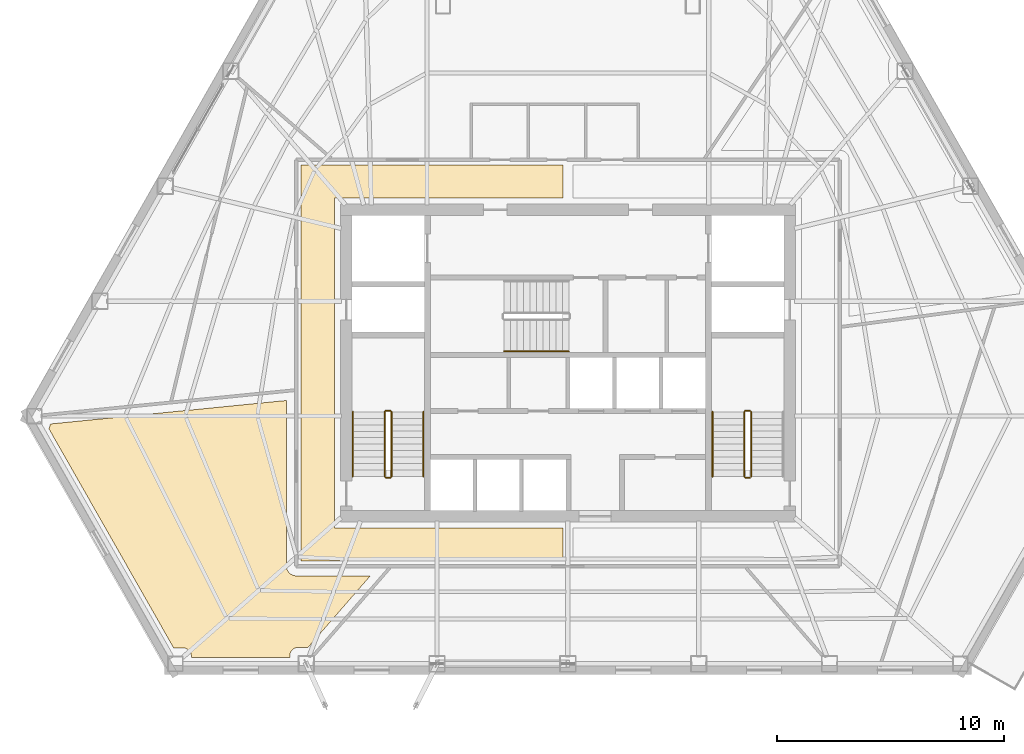
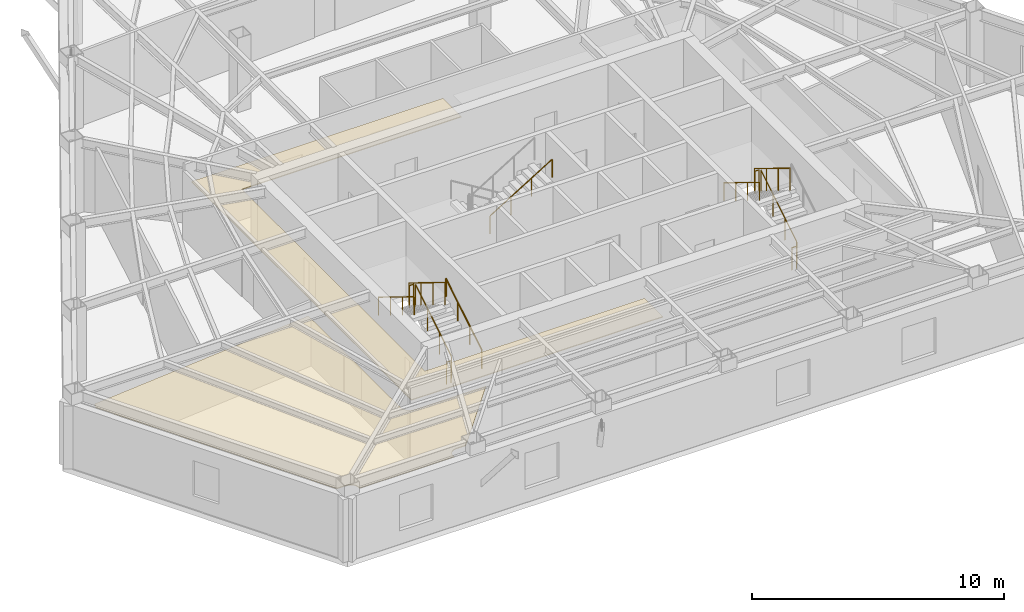
# One storey, part 10 of 12: 12 railings, 2 coverings.
"""IFC4 building model written with IfcOpenShell, lengths in metres."""

from ifc_helpers import new_model, si_unit, direction, frame, origin, origin_2d, place, context, subcontext, project, spatial, polyline, circle, outline, extrude, material, layer, layer_set, type_object, element, save


model = new_model("IFC4")

# Units and contexts
model_context = context("Model", 3, precision=1e-05, world=origin(), true_north=direction((0.0, 1.0)))
body_context = subcontext(model_context, "Body", "Model", "MODEL_VIEW")
ifc_project = project(units=[si_unit("LENGTHUNIT", "METRE"), si_unit("AREAUNIT", "SQUARE_METRE"), si_unit("VOLUMEUNIT", "CUBIC_METRE"), si_unit("PLANEANGLEUNIT", "RADIAN"), si_unit("MASSUNIT", "GRAM", prefix="KILO")], contexts=[model_context])

# Site, building, storey
site_placement = place(None, origin())
site = spatial("IfcSite", under=ifc_project, at=site_placement, CompositionType="ELEMENT")
building_placement = place(site_placement, origin())
building = spatial("IfcBuilding", under=site, at=building_placement, Name="Kavelnor Concourse Tower", CompositionType="ELEMENT")
storey_placement = place(building_placement, frame((0.0, 0.0, 93.199951171875)))
storey = spatial("IfcBuildingStorey", under=building, at=storey_placement, Name="L23", CompositionType="ELEMENT", Elevation=93.199951171875)

# Coverings
ifc_material_1 = material(Name="Mineral fibre acoustic ceiling tile")
ifc_layer = layer(ifc_material_1, 0.0400390625, Name="Mineral fibre acoustic ceiling tile")
ifc_layer_set = layer_set([ifc_layer], Name="Mineral fibre acoustic ceiling tile")
covering_type = type_object("IfcCoveringType", Name="COV-CEILING-ACOUSTIC", PredefinedType="CEILING", material=ifc_layer_set)
covering_1_placement = place(storey_placement, frame((0.0, 0.0, 2.75)))
element("IfcCovering", 1, at=covering_1_placement, inside=storey, type_object=covering_type, Name="L23 Suspended Acoustic Ceiling", PredefinedType="CEILING", context=body_context, shape_type="SweptSolid", body=[
    extrude(outline(polyline([(26.25, 7.3701171875), (26.25, 24.830078125), (37.77490234375, 24.830078125), (37.77490234375, 23.3701171875), (27.7099609375, 23.3701171875), (27.7099609375, 8.830078125), (37.77490234375, 8.830078125), (37.77490234375, 7.3701171875), (26.25, 7.3701171875)])), origin(), (0.0, 0.0, 1.0), 0.0400390625),
])
covering_2_placement = place(storey_placement, frame((0.0, 0.0, 2.75)))
element("IfcCovering", 2, at=covering_2_placement, inside=storey, type_object=covering_type, Name="L23 Suspended Acoustic Ceiling", PredefinedType="CEILING", context=body_context, shape_type="SweptSolid", body=[
    extrude(outline(polyline([(15.139892578125, 13.222900390625), (15.158203125, 13.253173828125), (15.17333984375, 13.28515625), (15.185302734375, 13.318603515625), (15.19384765625, 13.352783203125), (15.198974609375, 13.3876953125), (15.2001953125, 13.414794921875), (15.2001953125, 13.415771484375), (25.607421875, 14.45068359375), (25.607421875, 7.1416015625), (25.609130859375, 7.1083984375), (25.615234375, 7.0673828125), (25.625244140625, 7.027099609375), (25.639404296875, 6.98828125), (25.656982421875, 6.95068359375), (25.678466796875, 6.9150390625), (25.703125, 6.881591796875), (25.73095703125, 6.85107421875), (25.76171875, 6.822998046875), (25.794921875, 6.79833984375), (25.83056640625, 6.777099609375), (25.8681640625, 6.75927734375), (25.9072265625, 6.745361328125), (25.947509765625, 6.735107421875), (25.988525390625, 6.72900390625), (26.021728515625, 6.7275390625), (29.29736328125, 6.7275390625), (26.55078125, 3.569580078125), (26.106201171875, 3.569580078125), (26.0791015625, 3.568359375), (26.044189453125, 3.563232421875), (26.009765625, 3.5546875), (25.9765625, 3.542724609375), (25.944580078125, 3.527587890625), (25.914306640625, 3.509521484375), (25.8857421875, 3.48828125), (25.859619140625, 3.464599609375), (25.835693359375, 3.438232421875), (25.814697265625, 3.409912109375), (25.79638671875, 3.379638671875), (25.781494140625, 3.34765625), (25.76953125, 3.314208984375), (25.760986328125, 3.280029296875), (25.755615234375, 3.2451171875), (25.75439453125, 3.218017578125), (25.75439453125, 3.129638671875), (21.41162109375, 3.129638671875), (21.41162109375, 3.197998046875), (21.410400390625, 3.22509765625), (21.405029296875, 3.260009765625), (21.396484375, 3.294189453125), (21.384521484375, 3.32763671875), (21.369384765625, 3.359619140625), (21.351318359375, 3.389892578125), (21.330078125, 3.418212890625), (21.306396484375, 3.444580078125), (21.2802734375, 3.46826171875), (21.251708984375, 3.489501953125), (21.221435546875, 3.507568359375), (21.189453125, 3.522705078125), (21.15625, 3.53466796875), (21.121826171875, 3.543212890625), (21.0869140625, 3.54833984375), (21.059814453125, 3.5498046875), (20.635498046875, 3.5498046875), (15.13427734375, 13.215087890625), (15.139892578125, 13.222900390625)])), origin(), (0.0, 0.0, 1.0), 0.0400390625),
])

# Railings
ifc_material_2 = material(Name="Steel Grade 350", Category="steel")
railing_type_1 = type_object("IfcRailingType", Name="RLG-GUARD-1100", PredefinedType="GUARDRAIL", material=ifc_material_2)
railing_1_placement = place(storey_placement, frame((30.22998046875, 11.10009765625, 0.175048828125)))
element("IfcRailing", 3, at=railing_1_placement, inside=storey, type_object=railing_type_1, Name="L23 ST1 stair guard 1", PredefinedType="GUARDRAIL", context=body_context, shape_type="SweptSolid", body=[
    extrude(circle(Radius=0.02392578125, at=origin_2d()), frame((0.0, 0.0, 1.076171875), z_axis=(0.0, 0.852159232446, 0.523282564737), x_axis=(-1.0, 0.0, 0.0)), (0.0, 0.0, 1.0), 3.34423828125),
    extrude(circle(Radius=0.02099609375, at=origin_2d()), origin(), (0.0, 0.0, 1.0), 1.052001953125),
    extrude(circle(Radius=0.02099609375, at=origin_2d()), frame((0.0, 0.949951171875, 0.583251953125)), (0.0, 0.0, 1.0), 1.052001953125),
    extrude(circle(Radius=0.02099609375, at=origin_2d()), frame((0.0, 1.89990234375, 1.166748046875)), (0.0, 0.0, 1.0), 1.052001953125),
    extrude(circle(Radius=0.02099609375, at=origin_2d()), frame((0.0, 2.849853515625, 1.75)), (0.0, 0.0, 1.0), 1.052001953125),
])
railing_2_placement = place(storey_placement, frame((30.179931640625, 14.0, 1.925048828125)))
element("IfcRailing", 4, at=railing_2_placement, inside=storey, type_object=railing_type_1, Name="L23 ST1 stair guard 2", PredefinedType="GUARDRAIL", context=body_context, shape_type="SweptSolid", body=[
    extrude(circle(Radius=0.02392578125, at=origin_2d()), frame((0.0, 0.0, 1.076171875), z_axis=(-1.0, 0.0, 0.0), x_axis=(0.0, -1.0, 0.0)), (0.0, 0.0, 1.0), 0.199951171875),
    extrude(circle(Radius=0.02099609375, at=origin_2d()), origin(), (0.0, 0.0, 1.0), 1.052001953125),
    extrude(circle(Radius=0.02099609375, at=origin_2d()), frame((-0.199951171875, 0.0, 0.0)), (0.0, 0.0, 1.0), 1.052001953125),
])
railing_3_placement = place(storey_placement, frame((29.929931640625, 13.949951171875, 2.10009765625)))
element("IfcRailing", 5, at=railing_3_placement, inside=storey, type_object=railing_type_1, Name="L23 ST1 stair guard 3", PredefinedType="GUARDRAIL", context=body_context, shape_type="SweptSolid", body=[
    extrude(circle(Radius=0.02392578125, at=origin_2d()), frame((0.0, 0.0, 1.076171875), z_axis=(0.0, -0.852159232446, 0.523282564737), x_axis=(1.0, 0.0, 0.0)), (0.0, 0.0, 1.0), 3.34423828125),
    extrude(circle(Radius=0.02099609375, at=origin_2d()), origin(), (0.0, 0.0, 1.0), 1.052001953125),
    extrude(circle(Radius=0.02099609375, at=origin_2d()), frame((0.0, -0.949951171875, 0.583251953125)), (0.0, 0.0, 1.0), 1.052001953125),
    extrude(circle(Radius=0.02099609375, at=origin_2d()), frame((0.0, -1.89990234375, 1.166748046875)), (0.0, 0.0, 1.0), 1.052001953125),
    extrude(circle(Radius=0.02099609375, at=origin_2d()), frame((0.0, -2.849853515625, 1.75)), (0.0, 0.0, 1.0), 1.052001953125),
])
railing_4_placement = place(storey_placement, frame((30.179931640625, 11.050048828125, 0.0)))
element("IfcRailing", 6, at=railing_4_placement, inside=storey, type_object=railing_type_1, Name="L23 ST1 stair guard 4", PredefinedType="GUARDRAIL", context=body_context, shape_type="SweptSolid", body=[
    extrude(circle(Radius=0.02392578125, at=origin_2d()), frame((0.0, 0.0, 1.076171875), z_axis=(-1.0, 0.0, 0.0), x_axis=(0.0, -1.0, 0.0)), (0.0, 0.0, 1.0), 0.199951171875),
    extrude(circle(Radius=0.02099609375, at=origin_2d()), origin(), (0.0, 0.0, 1.0), 1.052001953125),
    extrude(circle(Radius=0.02099609375, at=origin_2d()), frame((-0.199951171875, 0.0, 0.0)), (0.0, 0.0, 1.0), 1.052001953125),
])
railing_5_placement = place(storey_placement, frame((46.070068359375, 11.10009765625, 0.175048828125)))
element("IfcRailing", 7, at=railing_5_placement, inside=storey, type_object=railing_type_1, Name="L23 ST2 stair guard 1", PredefinedType="GUARDRAIL", context=body_context, shape_type="SweptSolid", body=[
    extrude(circle(Radius=0.02392578125, at=origin_2d()), frame((0.0, 0.0, 1.076171875), z_axis=(0.0, 0.852159232446, 0.523282564737), x_axis=(-1.0, 0.0, 0.0)), (0.0, 0.0, 1.0), 3.34423828125),
    extrude(circle(Radius=0.02099609375, at=origin_2d()), origin(), (0.0, 0.0, 1.0), 1.052001953125),
    extrude(circle(Radius=0.02099609375, at=origin_2d()), frame((0.0, 0.949951171875, 0.583251953125)), (0.0, 0.0, 1.0), 1.052001953125),
    extrude(circle(Radius=0.02099609375, at=origin_2d()), frame((0.0, 1.89990234375, 1.166748046875)), (0.0, 0.0, 1.0), 1.052001953125),
    extrude(circle(Radius=0.02099609375, at=origin_2d()), frame((0.0, 2.849853515625, 1.75)), (0.0, 0.0, 1.0), 1.052001953125),
])
railing_6_placement = place(storey_placement, frame((46.02001953125, 14.0, 1.925048828125)))
element("IfcRailing", 8, at=railing_6_placement, inside=storey, type_object=railing_type_1, Name="L23 ST2 stair guard 2", PredefinedType="GUARDRAIL", context=body_context, shape_type="SweptSolid", body=[
    extrude(circle(Radius=0.02392578125, at=origin_2d()), frame((0.0, 0.0, 1.076171875), z_axis=(-1.0, 0.0, 0.0), x_axis=(0.0, -1.0, 0.0)), (0.0, 0.0, 1.0), 0.199951171875),
    extrude(circle(Radius=0.02099609375, at=origin_2d()), origin(), (0.0, 0.0, 1.0), 1.052001953125),
    extrude(circle(Radius=0.02099609375, at=origin_2d()), frame((-0.199951171875, 0.0, 0.0)), (0.0, 0.0, 1.0), 1.052001953125),
])
railing_7_placement = place(storey_placement, frame((45.77001953125, 13.949951171875, 2.10009765625)))
element("IfcRailing", 9, at=railing_7_placement, inside=storey, type_object=railing_type_1, Name="L23 ST2 stair guard 3", PredefinedType="GUARDRAIL", context=body_context, shape_type="SweptSolid", body=[
    extrude(circle(Radius=0.02392578125, at=origin_2d()), frame((0.0, 0.0, 1.076171875), z_axis=(0.0, -0.852159232446, 0.523282564737), x_axis=(1.0, 0.0, 0.0)), (0.0, 0.0, 1.0), 3.34423828125),
    extrude(circle(Radius=0.02099609375, at=origin_2d()), origin(), (0.0, 0.0, 1.0), 1.052001953125),
    extrude(circle(Radius=0.02099609375, at=origin_2d()), frame((0.0, -0.949951171875, 0.583251953125)), (0.0, 0.0, 1.0), 1.052001953125),
    extrude(circle(Radius=0.02099609375, at=origin_2d()), frame((0.0, -1.89990234375, 1.166748046875)), (0.0, 0.0, 1.0), 1.052001953125),
    extrude(circle(Radius=0.02099609375, at=origin_2d()), frame((0.0, -2.849853515625, 1.75)), (0.0, 0.0, 1.0), 1.052001953125),
])
railing_8_placement = place(storey_placement, frame((46.02001953125, 11.050048828125, 0.0)))
element("IfcRailing", 10, at=railing_8_placement, inside=storey, type_object=railing_type_1, Name="L23 ST2 stair guard 4", PredefinedType="GUARDRAIL", context=body_context, shape_type="SweptSolid", body=[
    extrude(circle(Radius=0.02392578125, at=origin_2d()), frame((0.0, 0.0, 1.076171875), z_axis=(-1.0, 0.0, 0.0), x_axis=(0.0, -1.0, 0.0)), (0.0, 0.0, 1.0), 0.199951171875),
    extrude(circle(Radius=0.02099609375, at=origin_2d()), origin(), (0.0, 0.0, 1.0), 1.052001953125),
    extrude(circle(Radius=0.02099609375, at=origin_2d()), frame((-0.199951171875, 0.0, 0.0)), (0.0, 0.0, 1.0), 1.052001953125),
])
railing_type_2 = type_object("IfcRailingType", Name="RLG-HANDRAIL-900", PredefinedType="HANDRAIL", material=ifc_material_2)
railing_9_placement = place(storey_placement, frame((31.6298828125, 11.10009765625, 0.175048828125)))
element("IfcRailing", 11, at=railing_9_placement, inside=storey, type_object=railing_type_2, Name="L23 ST1 stair handrail 1", PredefinedType="HANDRAIL", context=body_context, shape_type="SweptSolid", body=[
    extrude(circle(Radius=0.02392578125, at=origin_2d()), frame((0.0, 0.0, 0.8759765625), z_axis=(0.0, 0.852159232446, 0.523282564737), x_axis=(-1.0, 0.0, 0.0)), (0.0, 0.0, 1.0), 3.34423828125),
    extrude(circle(Radius=0.02099609375, at=origin_2d()), origin(), (0.0, 0.0, 1.0), 0.851806640625),
    extrude(circle(Radius=0.02099609375, at=origin_2d()), frame((0.0, 0.949951171875, 0.583251953125)), (0.0, 0.0, 1.0), 0.851806640625),
    extrude(circle(Radius=0.02099609375, at=origin_2d()), frame((0.0, 1.89990234375, 1.166748046875)), (0.0, 0.0, 1.0), 0.851806640625),
    extrude(circle(Radius=0.02099609375, at=origin_2d()), frame((0.0, 2.849853515625, 1.75)), (0.0, 0.0, 1.0), 0.851806640625),
])
for number, where, name in (
    (12, (28.530029296875, 13.949951171875, 2.10009765625), "L23 ST1 stair handrail 2"),
    (13, (44.3701171875, 13.949951171875, 2.10009765625), "L23 ST2 stair handrail 2"),
):
    element("IfcRailing", number, at=place(storey_placement, frame(where)), inside=storey, type_object=railing_type_2, Name=name, PredefinedType="HANDRAIL", context=body_context, shape_type="SweptSolid", body=[
        extrude(circle(Radius=0.02392578125, at=origin_2d()), frame((0.0, 0.0, 0.8759765625), z_axis=(0.0, -0.852159232446, 0.523282564737), x_axis=(1.0, 0.0, 0.0)), (0.0, 0.0, 1.0), 3.34423828125),
        extrude(circle(Radius=0.02099609375, at=origin_2d()), origin(), (0.0, 0.0, 1.0), 0.851806640625),
        extrude(circle(Radius=0.02099609375, at=origin_2d()), frame((0.0, -0.949951171875, 0.583251953125)), (0.0, 0.0, 1.0), 0.851806640625),
        extrude(circle(Radius=0.02099609375, at=origin_2d()), frame((0.0, -1.89990234375, 1.166748046875)), (0.0, 0.0, 1.0), 0.851806640625),
        extrude(circle(Radius=0.02099609375, at=origin_2d()), frame((0.0, -2.849853515625, 1.75)), (0.0, 0.0, 1.0), 0.851806640625),
    ])
railing_10_placement = place(storey_placement, frame((35.18994140625, 16.610107421875, 2.10009765625)))
element("IfcRailing", 14, at=railing_10_placement, inside=storey, type_object=railing_type_2, Name="L23 ST3 stair handrail 2", PredefinedType="HANDRAIL", context=body_context, shape_type="SweptSolid", body=[
    extrude(circle(Radius=0.02392578125, at=origin_2d()), frame((0.0, 0.0, 0.8759765625), z_axis=(0.852179220489, 0.0, 0.52325001306), x_axis=(0.0, 1.0, 0.0)), (0.0, 0.0, 1.0), 3.344482421875),
    extrude(circle(Radius=0.02099609375, at=origin_2d()), origin(), (0.0, 0.0, 1.0), 0.851806640625),
    extrude(circle(Radius=0.02099609375, at=origin_2d()), frame((0.949951171875, 0.0, 0.583251953125)), (0.0, 0.0, 1.0), 0.851806640625),
    extrude(circle(Radius=0.02099609375, at=origin_2d()), frame((1.900146484375, 0.0, 1.166748046875)), (0.0, 0.0, 1.0), 0.851806640625),
    extrude(circle(Radius=0.02099609375, at=origin_2d()), frame((2.85009765625, 0.0, 1.75)), (0.0, 0.0, 1.0), 0.851806640625),
])

save(model, "model.ifc")
